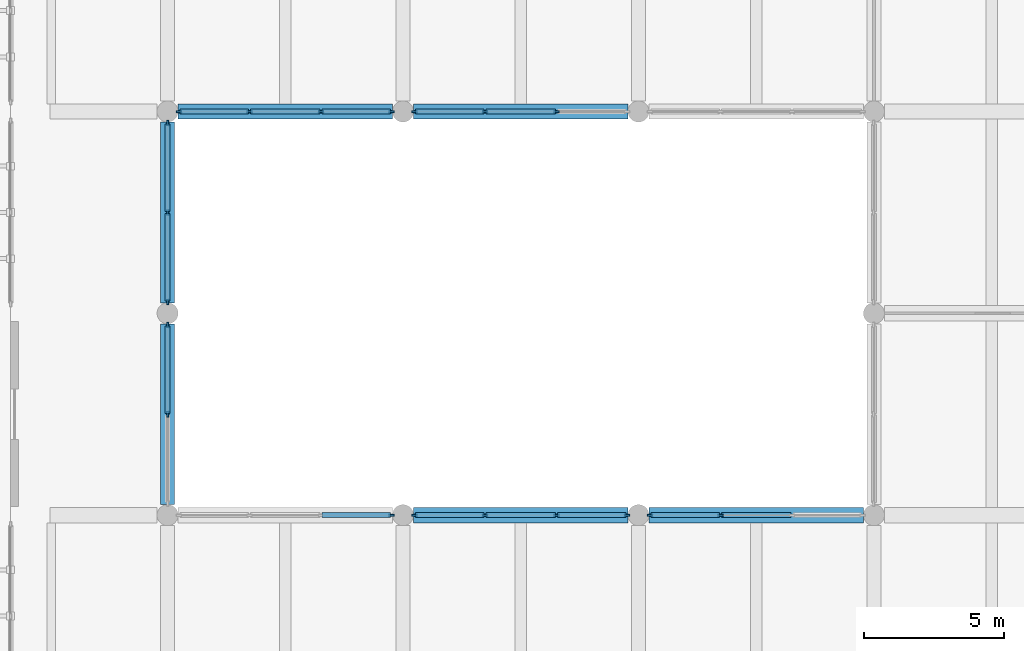
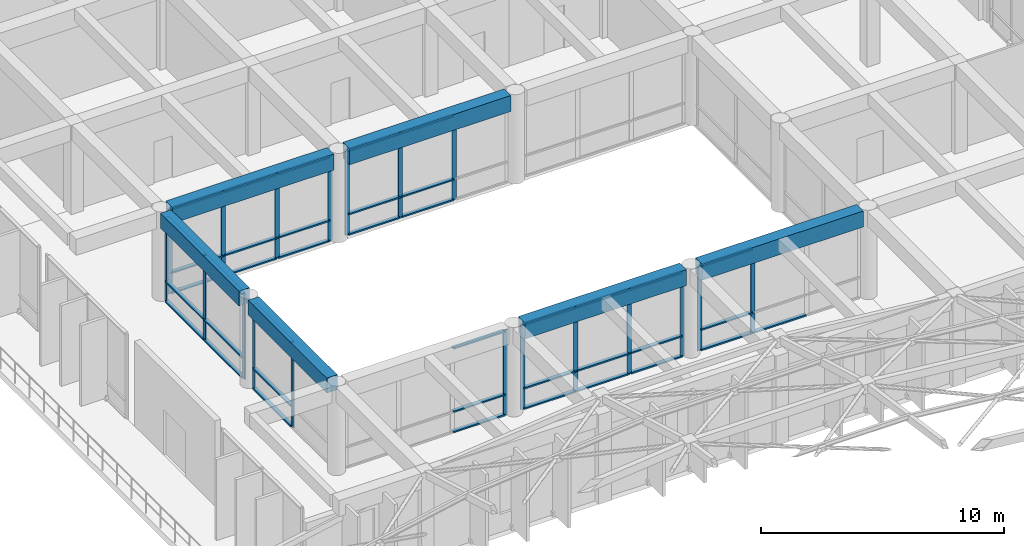
# One storey, part 6 of 23: 59 members, 6 beams, 7 elements without a shape of their own.
"""IFC4 building model written with IfcOpenShell, lengths in metres."""

from ifc_helpers import new_model, si_unit, direction, frame, origin, origin_2d, place, context, subcontext, project, spatial, rectangle, extrude, material, material_profile, profile_set, type_object, element, aggregate, save


model = new_model("IFC4")

# Units and contexts
model_context = context("Model", 3, precision=1e-05, world=origin(), true_north=direction((0.0, 1.0)))
body_context = subcontext(model_context, "Body", "Model", "MODEL_VIEW")
ifc_project = project(units=[si_unit("LENGTHUNIT", "METRE"), si_unit("AREAUNIT", "SQUARE_METRE"), si_unit("VOLUMEUNIT", "CUBIC_METRE"), si_unit("PLANEANGLEUNIT", "RADIAN"), si_unit("MASSUNIT", "GRAM", prefix="KILO")], contexts=[model_context])

# Site, building, storey
site_placement = place(None, origin())
site = spatial("IfcSite", under=ifc_project, at=site_placement, CompositionType="ELEMENT")
building_placement = place(site_placement, origin())
building = spatial("IfcBuilding", under=site, at=building_placement, Name="Kenerak Square Central Library", CompositionType="ELEMENT")
storey_placement = place(building_placement, frame((0.0, 0.0, 18.8798828125)))
storey = spatial("IfcBuildingStorey", under=building, at=storey_placement, Name="L04", CompositionType="ELEMENT", Elevation=18.8798828125)

# Curtain wall, member
ifc_material_1 = material(Name="Intumescent fire-resisting glazing EI 60", Category="glass")
curtain_wall_type_1 = type_object("IfcCurtainWallType", Name="Curtain Wall CW-AT60-76x42 7650x4255", PredefinedType="USERDEFINED", material=ifc_material_1)
curtain_wall_1_placement = place(storey_placement, origin())
curtain_wall_1 = element("IfcCurtainWall", 1, at=curtain_wall_1_placement, inside=storey, type_object=curtain_wall_type_1, Name="Atrium Fire-Rated Glazed Screen CW-AT60-76x42 L04 0177", ObjectType="CURTAIN WALL", PredefinedType="USERDEFINED")
ifc_material_2 = material(Name="Anodised aluminium 6063-T6", Category="aluminium")
ifc_material_profile_1 = material_profile(ifc_material_2, rectangle(XDim=0.070068359375, YDim=0.199951171875, at=origin_2d()), Name="AL MULLION 70x200")
ifc_profile_set_1 = profile_set([ifc_material_profile_1], Name="Anodised aluminium 6063-T6")
member_type_1 = type_object("IfcMemberType", Name="Fire-Rated Glazing Mullion CM-05 70x200", PredefinedType="MULLION", material=ifc_profile_set_1)
member_1_placement = place(storey_placement, frame((83.18994140625, 60.0, 0.0), z_axis=(0.0, 0.0, 1.0), x_axis=(0.0, 1.0, 0.0)))
member_1 = element("IfcMember", 2, at=member_1_placement, type_object=member_type_1, Name="CW-AT60-76x42 Mullion 4", PredefinedType="MULLION", context=body_context, shape_type="SweptSolid", body=[
    extrude(rectangle(XDim=0.070068359375, YDim=0.199951171875, at=origin_2d()), origin(), (0.0, 0.0, 1.0), 4.255126953125),
])

# Curtain wall, members
curtain_wall_2_placement = place(storey_placement, origin())
curtain_wall_2 = element("IfcCurtainWall", 3, at=curtain_wall_2_placement, inside=storey, type_object=curtain_wall_type_1, Name="Atrium Fire-Rated Glazed Screen CW-AT60-76x42 L04 0178", ObjectType="CURTAIN WALL", PredefinedType="USERDEFINED")
member_2_placement = place(storey_placement, frame((84.010009765625, 60.0, 0.0), z_axis=(0.0, 0.0, 1.0), x_axis=(0.0, 1.0, 0.0)))
member_2 = element("IfcMember", 4, at=member_2_placement, type_object=member_type_1, Name="CW-AT60-76x42 Mullion 1", PredefinedType="MULLION", context=body_context, shape_type="SweptSolid", body=[
    extrude(rectangle(XDim=0.070068359375, YDim=0.199951171875, at=origin_2d()), origin(), (0.0, 0.0, 1.0), 4.255126953125),
])
member_3_placement = place(storey_placement, frame((86.52490234375, 60.0, 0.0), z_axis=(0.0, 0.0, 1.0), x_axis=(0.0, 1.0, 0.0)))
member_3 = element("IfcMember", 5, at=member_3_placement, type_object=member_type_1, Name="CW-AT60-76x42 Mullion 2", PredefinedType="MULLION", context=body_context, shape_type="SweptSolid", body=[
    extrude(rectangle(XDim=0.070068359375, YDim=0.199951171875, at=origin_2d()), origin(), (0.0, 0.0, 1.0), 4.255126953125),
])
member_4_placement = place(storey_placement, frame((89.074951171875, 60.0, 0.0), z_axis=(0.0, 0.0, 1.0), x_axis=(0.0, 1.0, 0.0)))
member_4 = element("IfcMember", 6, at=member_4_placement, type_object=member_type_1, Name="CW-AT60-76x42 Mullion 3", PredefinedType="MULLION", context=body_context, shape_type="SweptSolid", body=[
    extrude(rectangle(XDim=0.070068359375, YDim=0.199951171875, at=origin_2d()), origin(), (0.0, 0.0, 1.0), 4.255126953125),
])
member_5_placement = place(storey_placement, frame((91.590087890625, 60.0, 0.0), z_axis=(0.0, 0.0, 1.0), x_axis=(0.0, 1.0, 0.0)))
member_5 = element("IfcMember", 7, at=member_5_placement, type_object=member_type_1, Name="CW-AT60-76x42 Mullion 4", PredefinedType="MULLION", context=body_context, shape_type="SweptSolid", body=[
    extrude(rectangle(XDim=0.070068359375, YDim=0.199951171875, at=origin_2d()), origin(), (0.0, 0.0, 1.0), 4.255126953125),
])

curtain_wall_3_placement = place(storey_placement, origin())
curtain_wall_3 = element("IfcCurtainWall", 8, at=curtain_wall_3_placement, inside=storey, type_object=curtain_wall_type_1, Name="Atrium Fire-Rated Glazed Screen CW-AT60-76x42 L04 0179", ObjectType="CURTAIN WALL", PredefinedType="USERDEFINED")
member_6_placement = place(storey_placement, frame((92.409912109375, 60.0, 0.0), z_axis=(0.0, 0.0, 1.0), x_axis=(0.0, 1.0, 0.0)))
member_6 = element("IfcMember", 9, at=member_6_placement, type_object=member_type_1, Name="CW-AT60-76x42 Mullion 1", PredefinedType="MULLION", context=body_context, shape_type="SweptSolid", body=[
    extrude(rectangle(XDim=0.070068359375, YDim=0.199951171875, at=origin_2d()), origin(), (0.0, 0.0, 1.0), 4.255126953125),
])
member_7_placement = place(storey_placement, frame((94.925048828125, 60.0, 0.0), z_axis=(0.0, 0.0, 1.0), x_axis=(0.0, 1.0, 0.0)))
member_7 = element("IfcMember", 10, at=member_7_placement, type_object=member_type_1, Name="CW-AT60-76x42 Mullion 2", PredefinedType="MULLION", context=body_context, shape_type="SweptSolid", body=[
    extrude(rectangle(XDim=0.070068359375, YDim=0.199951171875, at=origin_2d()), origin(), (0.0, 0.0, 1.0), 4.255126953125),
])

curtain_wall_4_placement = place(storey_placement, origin())
curtain_wall_4 = element("IfcCurtainWall", 11, at=curtain_wall_4_placement, inside=storey, type_object=curtain_wall_type_1, Name="Atrium Fire-Rated Glazed Screen CW-AT60-76x42 L04 0183", ObjectType="CURTAIN WALL", PredefinedType="USERDEFINED")
member_8_placement = place(storey_placement, frame((89.074951171875, 74.39990234375, 0.0), z_axis=(0.0, 0.0, 1.0), x_axis=(0.0, -1.0, 0.0)))
member_8 = element("IfcMember", 12, at=member_8_placement, type_object=member_type_1, Name="CW-AT60-76x42 Mullion 2", PredefinedType="MULLION", context=body_context, shape_type="SweptSolid", body=[
    extrude(rectangle(XDim=0.070068359375, YDim=0.199951171875, at=origin_2d()), origin(), (0.0, 0.0, 1.0), 4.255126953125),
])
member_9_placement = place(storey_placement, frame((86.52490234375, 74.39990234375, 0.0), z_axis=(0.0, 0.0, 1.0), x_axis=(0.0, -1.0, 0.0)))
member_9 = element("IfcMember", 13, at=member_9_placement, type_object=member_type_1, Name="CW-AT60-76x42 Mullion 3", PredefinedType="MULLION", context=body_context, shape_type="SweptSolid", body=[
    extrude(rectangle(XDim=0.070068359375, YDim=0.199951171875, at=origin_2d()), origin(), (0.0, 0.0, 1.0), 4.255126953125),
])
member_10_placement = place(storey_placement, frame((84.010009765625, 74.39990234375, 0.0), z_axis=(0.0, 0.0, 1.0), x_axis=(0.0, -1.0, 0.0)))
member_10 = element("IfcMember", 14, at=member_10_placement, type_object=member_type_1, Name="CW-AT60-76x42 Mullion 4", PredefinedType="MULLION", context=body_context, shape_type="SweptSolid", body=[
    extrude(rectangle(XDim=0.070068359375, YDim=0.199951171875, at=origin_2d()), origin(), (0.0, 0.0, 1.0), 4.255126953125),
])

curtain_wall_5_placement = place(storey_placement, origin())
curtain_wall_5 = element("IfcCurtainWall", 15, at=curtain_wall_5_placement, inside=storey, type_object=curtain_wall_type_1, Name="Atrium Fire-Rated Glazed Screen CW-AT60-76x42 L04 0184", ObjectType="CURTAIN WALL", PredefinedType="USERDEFINED")
member_11_placement = place(storey_placement, frame((83.18994140625, 74.39990234375, 0.0), z_axis=(0.0, 0.0, 1.0), x_axis=(0.0, -1.0, 0.0)))
member_11 = element("IfcMember", 16, at=member_11_placement, type_object=member_type_1, Name="CW-AT60-76x42 Mullion 1", PredefinedType="MULLION", context=body_context, shape_type="SweptSolid", body=[
    extrude(rectangle(XDim=0.070068359375, YDim=0.199951171875, at=origin_2d()), origin(), (0.0, 0.0, 1.0), 4.255126953125),
])
member_12_placement = place(storey_placement, frame((80.675048828125, 74.39990234375, 0.0), z_axis=(0.0, 0.0, 1.0), x_axis=(0.0, -1.0, 0.0)))
member_12 = element("IfcMember", 17, at=member_12_placement, type_object=member_type_1, Name="CW-AT60-76x42 Mullion 2", PredefinedType="MULLION", context=body_context, shape_type="SweptSolid", body=[
    extrude(rectangle(XDim=0.070068359375, YDim=0.199951171875, at=origin_2d()), origin(), (0.0, 0.0, 1.0), 4.255126953125),
])
member_13_placement = place(storey_placement, frame((78.125, 74.39990234375, 0.0), z_axis=(0.0, 0.0, 1.0), x_axis=(0.0, -1.0, 0.0)))
member_13 = element("IfcMember", 18, at=member_13_placement, type_object=member_type_1, Name="CW-AT60-76x42 Mullion 3", PredefinedType="MULLION", context=body_context, shape_type="SweptSolid", body=[
    extrude(rectangle(XDim=0.070068359375, YDim=0.199951171875, at=origin_2d()), origin(), (0.0, 0.0, 1.0), 4.255126953125),
])
member_14_placement = place(storey_placement, frame((75.610107421875, 74.39990234375, 0.0), z_axis=(0.0, 0.0, 1.0), x_axis=(0.0, -1.0, 0.0)))
member_14 = element("IfcMember", 19, at=member_14_placement, type_object=member_type_1, Name="CW-AT60-76x42 Mullion 4", PredefinedType="MULLION", context=body_context, shape_type="SweptSolid", body=[
    extrude(rectangle(XDim=0.070068359375, YDim=0.199951171875, at=origin_2d()), origin(), (0.0, 0.0, 1.0), 4.255126953125),
])

curtain_wall_type_2 = type_object("IfcCurtainWallType", Name="Curtain Wall CW-AT60-64x42 6450x4255", PredefinedType="USERDEFINED", material=ifc_material_1)
curtain_wall_6_placement = place(storey_placement, origin())
curtain_wall_6 = element("IfcCurtainWall", 20, at=curtain_wall_6_placement, inside=storey, type_object=curtain_wall_type_2, Name="Atrium Fire-Rated Glazed Screen CW-AT60-64x42 L04 0185", ObjectType="CURTAIN WALL", PredefinedType="USERDEFINED")
member_15_placement = place(storey_placement, frame((75.199951171875, 73.989990234375, 0.0), z_axis=(0.0, 0.0, 1.0), x_axis=(1.0, 0.0, 0.0)))
member_15 = element("IfcMember", 21, at=member_15_placement, type_object=member_type_1, Name="CW-AT60-64x42 Mullion 1", PredefinedType="MULLION", context=body_context, shape_type="SweptSolid", body=[
    extrude(rectangle(XDim=0.070068359375, YDim=0.199951171875, at=origin_2d()), origin(), (0.0, 0.0, 1.0), 4.255126953125),
])
member_16_placement = place(storey_placement, frame((75.199951171875, 70.800048828125, 0.0), z_axis=(0.0, 0.0, 1.0), x_axis=(1.0, 0.0, 0.0)))
member_16 = element("IfcMember", 22, at=member_16_placement, type_object=member_type_1, Name="CW-AT60-64x42 Mullion 2", PredefinedType="MULLION", context=body_context, shape_type="SweptSolid", body=[
    extrude(rectangle(XDim=0.070068359375, YDim=0.199951171875, at=origin_2d()), origin(), (0.0, 0.0, 1.0), 4.255126953125),
])
member_17_placement = place(storey_placement, frame((75.199951171875, 67.610107421875, 0.0), z_axis=(0.0, 0.0, 1.0), x_axis=(1.0, 0.0, 0.0)))
member_17 = element("IfcMember", 23, at=member_17_placement, type_object=member_type_1, Name="CW-AT60-64x42 Mullion 3", PredefinedType="MULLION", context=body_context, shape_type="SweptSolid", body=[
    extrude(rectangle(XDim=0.070068359375, YDim=0.199951171875, at=origin_2d()), origin(), (0.0, 0.0, 1.0), 4.255126953125),
])

curtain_wall_7_placement = place(storey_placement, origin())
curtain_wall_7 = element("IfcCurtainWall", 24, at=curtain_wall_7_placement, inside=storey, type_object=curtain_wall_type_2, Name="Atrium Fire-Rated Glazed Screen CW-AT60-64x42 L04 0186", ObjectType="CURTAIN WALL", PredefinedType="USERDEFINED")
member_18_placement = place(storey_placement, frame((75.199951171875, 66.7900390625, 0.0), z_axis=(0.0, 0.0, 1.0), x_axis=(1.0, 0.0, 0.0)))
member_18 = element("IfcMember", 25, at=member_18_placement, type_object=member_type_1, Name="CW-AT60-64x42 Mullion 1", PredefinedType="MULLION", context=body_context, shape_type="SweptSolid", body=[
    extrude(rectangle(XDim=0.070068359375, YDim=0.199951171875, at=origin_2d()), origin(), (0.0, 0.0, 1.0), 4.255126953125),
])
member_19_placement = place(storey_placement, frame((75.199951171875, 63.60009765625, 0.0), z_axis=(0.0, 0.0, 1.0), x_axis=(1.0, 0.0, 0.0)))
member_19 = element("IfcMember", 26, at=member_19_placement, type_object=member_type_1, Name="CW-AT60-64x42 Mullion 2", PredefinedType="MULLION", context=body_context, shape_type="SweptSolid", body=[
    extrude(rectangle(XDim=0.070068359375, YDim=0.199951171875, at=origin_2d()), origin(), (0.0, 0.0, 1.0), 4.255126953125),
])

# Member
ifc_material_profile_2 = material_profile(ifc_material_2, rectangle(XDim=0.179931640625, YDim=0.070068359375, at=origin_2d()), Name="AL TRANSOM 180x70")
ifc_profile_set_2 = profile_set([ifc_material_profile_2], Name="Anodised aluminium 6063-T6")
member_type_2 = type_object("IfcMemberType", Name="Fire-Rated Glazing Transom CT-15 180x70", PredefinedType="USERDEFINED", material=ifc_profile_set_2)
member_20_placement = place(storey_placement, frame((80.7099609375, 60.0, 0.03515625), z_axis=(1.0, 0.0, 0.0), x_axis=(0.0, 1.0, 0.0)))
member_20 = element("IfcMember", 27, at=member_20_placement, type_object=member_type_2, Name="CW-AT60-76x42 Transom 3.1", ObjectType="TRANSOM", PredefinedType="USERDEFINED", context=body_context, shape_type="SweptSolid", body=[
    extrude(rectangle(XDim=0.179931640625, YDim=0.070068359375, at=origin_2d()), origin(), (0.0, 0.0, 1.0), 2.445068359375),
])

member_21_placement = place(storey_placement, frame((80.7099609375, 60.0, 1.050048828125), z_axis=(1.0, 0.0, 0.0), x_axis=(0.0, 1.0, 0.0)))
member_21 = element("IfcMember", 28, at=member_21_placement, type_object=member_type_2, Name="CW-AT60-76x42 Transom 3.2", ObjectType="TRANSOM", PredefinedType="USERDEFINED", context=body_context, shape_type="SweptSolid", body=[
    extrude(rectangle(XDim=0.179931640625, YDim=0.070068359375, at=origin_2d()), origin(), (0.0, 0.0, 1.0), 2.445068359375),
])

member_22_placement = place(storey_placement, frame((80.7099609375, 60.0, 4.22021484375), z_axis=(1.0, 0.0, 0.0), x_axis=(0.0, 1.0, 0.0)))
member_22 = element("IfcMember", 29, at=member_22_placement, type_object=member_type_2, Name="CW-AT60-76x42 Transom 3.3", ObjectType="TRANSOM", PredefinedType="USERDEFINED", context=body_context, shape_type="SweptSolid", body=[
    extrude(rectangle(XDim=0.179931640625, YDim=0.070068359375, at=origin_2d()), origin(), (0.0, 0.0, 1.0), 2.445068359375),
])

aggregate(curtain_wall_1, [member_1, member_20, member_21, member_22])

member_23_placement = place(storey_placement, frame((84.044921875, 60.0, 0.03515625), z_axis=(1.0, 0.0, 0.0), x_axis=(0.0, 1.0, 0.0)))
member_23 = element("IfcMember", 30, at=member_23_placement, type_object=member_type_2, Name="CW-AT60-76x42 Transom 1.1", ObjectType="TRANSOM", PredefinedType="USERDEFINED", context=body_context, shape_type="SweptSolid", body=[
    extrude(rectangle(XDim=0.179931640625, YDim=0.070068359375, at=origin_2d()), origin(), (0.0, 0.0, 1.0), 2.445068359375),
])

member_24_placement = place(storey_placement, frame((84.044921875, 60.0, 1.050048828125), z_axis=(1.0, 0.0, 0.0), x_axis=(0.0, 1.0, 0.0)))
member_24 = element("IfcMember", 31, at=member_24_placement, type_object=member_type_2, Name="CW-AT60-76x42 Transom 1.2", ObjectType="TRANSOM", PredefinedType="USERDEFINED", context=body_context, shape_type="SweptSolid", body=[
    extrude(rectangle(XDim=0.179931640625, YDim=0.070068359375, at=origin_2d()), origin(), (0.0, 0.0, 1.0), 2.445068359375),
])

member_25_placement = place(storey_placement, frame((84.044921875, 60.0, 4.22021484375), z_axis=(1.0, 0.0, 0.0), x_axis=(0.0, 1.0, 0.0)))
member_25 = element("IfcMember", 32, at=member_25_placement, type_object=member_type_2, Name="CW-AT60-76x42 Transom 1.3", ObjectType="TRANSOM", PredefinedType="USERDEFINED", context=body_context, shape_type="SweptSolid", body=[
    extrude(rectangle(XDim=0.179931640625, YDim=0.070068359375, at=origin_2d()), origin(), (0.0, 0.0, 1.0), 2.445068359375),
])

member_26_placement = place(storey_placement, frame((86.56005859375, 60.0, 0.03515625), z_axis=(1.0, 0.0, 0.0), x_axis=(0.0, 1.0, 0.0)))
member_26 = element("IfcMember", 33, at=member_26_placement, type_object=member_type_2, Name="CW-AT60-76x42 Transom 2.1", ObjectType="TRANSOM", PredefinedType="USERDEFINED", context=body_context, shape_type="SweptSolid", body=[
    extrude(rectangle(XDim=0.179931640625, YDim=0.070068359375, at=origin_2d()), origin(), (0.0, 0.0, 1.0), 2.47998046875),
])

member_27_placement = place(storey_placement, frame((86.56005859375, 60.0, 1.050048828125), z_axis=(1.0, 0.0, 0.0), x_axis=(0.0, 1.0, 0.0)))
member_27 = element("IfcMember", 34, at=member_27_placement, type_object=member_type_2, Name="CW-AT60-76x42 Transom 2.2", ObjectType="TRANSOM", PredefinedType="USERDEFINED", context=body_context, shape_type="SweptSolid", body=[
    extrude(rectangle(XDim=0.179931640625, YDim=0.070068359375, at=origin_2d()), origin(), (0.0, 0.0, 1.0), 2.47998046875),
])

member_28_placement = place(storey_placement, frame((86.56005859375, 60.0, 4.22021484375), z_axis=(1.0, 0.0, 0.0), x_axis=(0.0, 1.0, 0.0)))
member_28 = element("IfcMember", 35, at=member_28_placement, type_object=member_type_2, Name="CW-AT60-76x42 Transom 2.3", ObjectType="TRANSOM", PredefinedType="USERDEFINED", context=body_context, shape_type="SweptSolid", body=[
    extrude(rectangle(XDim=0.179931640625, YDim=0.070068359375, at=origin_2d()), origin(), (0.0, 0.0, 1.0), 2.47998046875),
])

member_29_placement = place(storey_placement, frame((89.110107421875, 60.0, 0.03515625), z_axis=(1.0, 0.0, 0.0), x_axis=(0.0, 1.0, 0.0)))
member_29 = element("IfcMember", 36, at=member_29_placement, type_object=member_type_2, Name="CW-AT60-76x42 Transom 3.1", ObjectType="TRANSOM", PredefinedType="USERDEFINED", context=body_context, shape_type="SweptSolid", body=[
    extrude(rectangle(XDim=0.179931640625, YDim=0.070068359375, at=origin_2d()), origin(), (0.0, 0.0, 1.0), 2.44482421875),
])

member_30_placement = place(storey_placement, frame((89.110107421875, 60.0, 1.050048828125), z_axis=(1.0, 0.0, 0.0), x_axis=(0.0, 1.0, 0.0)))
member_30 = element("IfcMember", 37, at=member_30_placement, type_object=member_type_2, Name="CW-AT60-76x42 Transom 3.2", ObjectType="TRANSOM", PredefinedType="USERDEFINED", context=body_context, shape_type="SweptSolid", body=[
    extrude(rectangle(XDim=0.179931640625, YDim=0.070068359375, at=origin_2d()), origin(), (0.0, 0.0, 1.0), 2.44482421875),
])

member_31_placement = place(storey_placement, frame((89.110107421875, 60.0, 4.22021484375), z_axis=(1.0, 0.0, 0.0), x_axis=(0.0, 1.0, 0.0)))
member_31 = element("IfcMember", 38, at=member_31_placement, type_object=member_type_2, Name="CW-AT60-76x42 Transom 3.3", ObjectType="TRANSOM", PredefinedType="USERDEFINED", context=body_context, shape_type="SweptSolid", body=[
    extrude(rectangle(XDim=0.179931640625, YDim=0.070068359375, at=origin_2d()), origin(), (0.0, 0.0, 1.0), 2.44482421875),
])

aggregate(curtain_wall_2, [member_2, member_3, member_4, member_5, member_23, member_24, member_25, member_26, member_27, member_28, member_29, member_30, member_31])

member_32_placement = place(storey_placement, frame((92.445068359375, 60.0, 0.03515625), z_axis=(1.0, 0.0, 0.0), x_axis=(0.0, 1.0, 0.0)))
member_32 = element("IfcMember", 39, at=member_32_placement, type_object=member_type_2, Name="CW-AT60-76x42 Transom 1.1", ObjectType="TRANSOM", PredefinedType="USERDEFINED", context=body_context, shape_type="SweptSolid", body=[
    extrude(rectangle(XDim=0.179931640625, YDim=0.070068359375, at=origin_2d()), origin(), (0.0, 0.0, 1.0), 2.44482421875),
])

member_33_placement = place(storey_placement, frame((92.445068359375, 60.0, 1.050048828125), z_axis=(1.0, 0.0, 0.0), x_axis=(0.0, 1.0, 0.0)))
member_33 = element("IfcMember", 40, at=member_33_placement, type_object=member_type_2, Name="CW-AT60-76x42 Transom 1.2", ObjectType="TRANSOM", PredefinedType="USERDEFINED", context=body_context, shape_type="SweptSolid", body=[
    extrude(rectangle(XDim=0.179931640625, YDim=0.070068359375, at=origin_2d()), origin(), (0.0, 0.0, 1.0), 2.44482421875),
])

member_34_placement = place(storey_placement, frame((92.445068359375, 60.0, 4.22021484375), z_axis=(1.0, 0.0, 0.0), x_axis=(0.0, 1.0, 0.0)))
member_34 = element("IfcMember", 41, at=member_34_placement, type_object=member_type_2, Name="CW-AT60-76x42 Transom 1.3", ObjectType="TRANSOM", PredefinedType="USERDEFINED", context=body_context, shape_type="SweptSolid", body=[
    extrude(rectangle(XDim=0.179931640625, YDim=0.070068359375, at=origin_2d()), origin(), (0.0, 0.0, 1.0), 2.44482421875),
])

member_35_placement = place(storey_placement, frame((94.9599609375, 60.0, 0.03515625), z_axis=(1.0, 0.0, 0.0), x_axis=(0.0, 1.0, 0.0)))
member_35 = element("IfcMember", 42, at=member_35_placement, type_object=member_type_2, Name="CW-AT60-76x42 Transom 2.1", ObjectType="TRANSOM", PredefinedType="USERDEFINED", context=body_context, shape_type="SweptSolid", body=[
    extrude(rectangle(XDim=0.179931640625, YDim=0.070068359375, at=origin_2d()), origin(), (0.0, 0.0, 1.0), 2.47998046875),
])

aggregate(curtain_wall_3, [member_6, member_7, member_32, member_33, member_34, member_35])

member_36_placement = place(storey_placement, frame((89.0400390625, 74.39990234375, 0.03515625), z_axis=(-1.0, 0.0, 0.0), x_axis=(0.0, -1.0, 0.0)))
member_36 = element("IfcMember", 43, at=member_36_placement, type_object=member_type_2, Name="CW-AT60-76x42 Transom 2.1", ObjectType="TRANSOM", PredefinedType="USERDEFINED", context=body_context, shape_type="SweptSolid", body=[
    extrude(rectangle(XDim=0.179931640625, YDim=0.070068359375, at=origin_2d()), origin(), (0.0, 0.0, 1.0), 2.47998046875),
])

member_37_placement = place(storey_placement, frame((89.0400390625, 74.39990234375, 1.050048828125), z_axis=(-1.0, 0.0, 0.0), x_axis=(0.0, -1.0, 0.0)))
member_37 = element("IfcMember", 44, at=member_37_placement, type_object=member_type_2, Name="CW-AT60-76x42 Transom 2.2", ObjectType="TRANSOM", PredefinedType="USERDEFINED", context=body_context, shape_type="SweptSolid", body=[
    extrude(rectangle(XDim=0.179931640625, YDim=0.070068359375, at=origin_2d()), origin(), (0.0, 0.0, 1.0), 2.47998046875),
])

member_38_placement = place(storey_placement, frame((89.0400390625, 74.39990234375, 4.22021484375), z_axis=(-1.0, 0.0, 0.0), x_axis=(0.0, -1.0, 0.0)))
member_38 = element("IfcMember", 45, at=member_38_placement, type_object=member_type_2, Name="CW-AT60-76x42 Transom 2.3", ObjectType="TRANSOM", PredefinedType="USERDEFINED", context=body_context, shape_type="SweptSolid", body=[
    extrude(rectangle(XDim=0.179931640625, YDim=0.070068359375, at=origin_2d()), origin(), (0.0, 0.0, 1.0), 2.47998046875),
])

member_39_placement = place(storey_placement, frame((86.489990234375, 74.39990234375, 0.03515625), z_axis=(-1.0, 0.0, 0.0), x_axis=(0.0, -1.0, 0.0)))
member_39 = element("IfcMember", 46, at=member_39_placement, type_object=member_type_2, Name="CW-AT60-76x42 Transom 3.1", ObjectType="TRANSOM", PredefinedType="USERDEFINED", context=body_context, shape_type="SweptSolid", body=[
    extrude(rectangle(XDim=0.179931640625, YDim=0.070068359375, at=origin_2d()), origin(), (0.0, 0.0, 1.0), 2.445068359375),
])

member_40_placement = place(storey_placement, frame((86.489990234375, 74.39990234375, 1.050048828125), z_axis=(-1.0, 0.0, 0.0), x_axis=(0.0, -1.0, 0.0)))
member_40 = element("IfcMember", 47, at=member_40_placement, type_object=member_type_2, Name="CW-AT60-76x42 Transom 3.2", ObjectType="TRANSOM", PredefinedType="USERDEFINED", context=body_context, shape_type="SweptSolid", body=[
    extrude(rectangle(XDim=0.179931640625, YDim=0.070068359375, at=origin_2d()), origin(), (0.0, 0.0, 1.0), 2.445068359375),
])

member_41_placement = place(storey_placement, frame((86.489990234375, 74.39990234375, 4.22021484375), z_axis=(-1.0, 0.0, 0.0), x_axis=(0.0, -1.0, 0.0)))
member_41 = element("IfcMember", 48, at=member_41_placement, type_object=member_type_2, Name="CW-AT60-76x42 Transom 3.3", ObjectType="TRANSOM", PredefinedType="USERDEFINED", context=body_context, shape_type="SweptSolid", body=[
    extrude(rectangle(XDim=0.179931640625, YDim=0.070068359375, at=origin_2d()), origin(), (0.0, 0.0, 1.0), 2.445068359375),
])

aggregate(curtain_wall_4, [member_8, member_9, member_10, member_36, member_37, member_38, member_39, member_40, member_41])

member_42_placement = place(storey_placement, frame((83.155029296875, 74.39990234375, 0.03515625), z_axis=(-1.0, 0.0, 0.0), x_axis=(0.0, -1.0, 0.0)))
member_42 = element("IfcMember", 49, at=member_42_placement, type_object=member_type_2, Name="CW-AT60-76x42 Transom 1.1", ObjectType="TRANSOM", PredefinedType="USERDEFINED", context=body_context, shape_type="SweptSolid", body=[
    extrude(rectangle(XDim=0.179931640625, YDim=0.070068359375, at=origin_2d()), origin(), (0.0, 0.0, 1.0), 2.445068359375),
])

member_43_placement = place(storey_placement, frame((83.155029296875, 74.39990234375, 1.050048828125), z_axis=(-1.0, 0.0, 0.0), x_axis=(0.0, -1.0, 0.0)))
member_43 = element("IfcMember", 50, at=member_43_placement, type_object=member_type_2, Name="CW-AT60-76x42 Transom 1.2", ObjectType="TRANSOM", PredefinedType="USERDEFINED", context=body_context, shape_type="SweptSolid", body=[
    extrude(rectangle(XDim=0.179931640625, YDim=0.070068359375, at=origin_2d()), origin(), (0.0, 0.0, 1.0), 2.445068359375),
])

member_44_placement = place(storey_placement, frame((83.155029296875, 74.39990234375, 4.22021484375), z_axis=(-1.0, 0.0, 0.0), x_axis=(0.0, -1.0, 0.0)))
member_44 = element("IfcMember", 51, at=member_44_placement, type_object=member_type_2, Name="CW-AT60-76x42 Transom 1.3", ObjectType="TRANSOM", PredefinedType="USERDEFINED", context=body_context, shape_type="SweptSolid", body=[
    extrude(rectangle(XDim=0.179931640625, YDim=0.070068359375, at=origin_2d()), origin(), (0.0, 0.0, 1.0), 2.445068359375),
])

member_45_placement = place(storey_placement, frame((80.639892578125, 74.39990234375, 0.03515625), z_axis=(-1.0, 0.0, 0.0), x_axis=(0.0, -1.0, 0.0)))
member_45 = element("IfcMember", 52, at=member_45_placement, type_object=member_type_2, Name="CW-AT60-76x42 Transom 2.1", ObjectType="TRANSOM", PredefinedType="USERDEFINED", context=body_context, shape_type="SweptSolid", body=[
    extrude(rectangle(XDim=0.179931640625, YDim=0.070068359375, at=origin_2d()), origin(), (0.0, 0.0, 1.0), 2.47998046875),
])

member_46_placement = place(storey_placement, frame((80.639892578125, 74.39990234375, 1.050048828125), z_axis=(-1.0, 0.0, 0.0), x_axis=(0.0, -1.0, 0.0)))
member_46 = element("IfcMember", 53, at=member_46_placement, type_object=member_type_2, Name="CW-AT60-76x42 Transom 2.2", ObjectType="TRANSOM", PredefinedType="USERDEFINED", context=body_context, shape_type="SweptSolid", body=[
    extrude(rectangle(XDim=0.179931640625, YDim=0.070068359375, at=origin_2d()), origin(), (0.0, 0.0, 1.0), 2.47998046875),
])

member_47_placement = place(storey_placement, frame((80.639892578125, 74.39990234375, 4.22021484375), z_axis=(-1.0, 0.0, 0.0), x_axis=(0.0, -1.0, 0.0)))
member_47 = element("IfcMember", 54, at=member_47_placement, type_object=member_type_2, Name="CW-AT60-76x42 Transom 2.3", ObjectType="TRANSOM", PredefinedType="USERDEFINED", context=body_context, shape_type="SweptSolid", body=[
    extrude(rectangle(XDim=0.179931640625, YDim=0.070068359375, at=origin_2d()), origin(), (0.0, 0.0, 1.0), 2.47998046875),
])

member_48_placement = place(storey_placement, frame((78.090087890625, 74.39990234375, 0.03515625), z_axis=(-1.0, 0.0, 0.0), x_axis=(0.0, -1.0, 0.0)))
member_48 = element("IfcMember", 55, at=member_48_placement, type_object=member_type_2, Name="CW-AT60-76x42 Transom 3.1", ObjectType="TRANSOM", PredefinedType="USERDEFINED", context=body_context, shape_type="SweptSolid", body=[
    extrude(rectangle(XDim=0.179931640625, YDim=0.070068359375, at=origin_2d()), origin(), (0.0, 0.0, 1.0), 2.445068359375),
])

member_49_placement = place(storey_placement, frame((78.090087890625, 74.39990234375, 1.050048828125), z_axis=(-1.0, 0.0, 0.0), x_axis=(0.0, -1.0, 0.0)))
member_49 = element("IfcMember", 56, at=member_49_placement, type_object=member_type_2, Name="CW-AT60-76x42 Transom 3.2", ObjectType="TRANSOM", PredefinedType="USERDEFINED", context=body_context, shape_type="SweptSolid", body=[
    extrude(rectangle(XDim=0.179931640625, YDim=0.070068359375, at=origin_2d()), origin(), (0.0, 0.0, 1.0), 2.445068359375),
])

member_50_placement = place(storey_placement, frame((78.090087890625, 74.39990234375, 4.22021484375), z_axis=(-1.0, 0.0, 0.0), x_axis=(0.0, -1.0, 0.0)))
member_50 = element("IfcMember", 57, at=member_50_placement, type_object=member_type_2, Name="CW-AT60-76x42 Transom 3.3", ObjectType="TRANSOM", PredefinedType="USERDEFINED", context=body_context, shape_type="SweptSolid", body=[
    extrude(rectangle(XDim=0.179931640625, YDim=0.070068359375, at=origin_2d()), origin(), (0.0, 0.0, 1.0), 2.445068359375),
])

aggregate(curtain_wall_5, [member_11, member_12, member_13, member_14, member_42, member_43, member_44, member_45, member_46, member_47, member_48, member_49, member_50])

member_51_placement = place(storey_placement, frame((75.199951171875, 73.955078125, 0.03515625), z_axis=(0.0, -1.0, 0.0), x_axis=(1.0, 0.0, 0.0)))
member_51 = element("IfcMember", 58, at=member_51_placement, type_object=member_type_2, Name="CW-AT60-64x42 Transom 1.1", ObjectType="TRANSOM", PredefinedType="USERDEFINED", context=body_context, shape_type="SweptSolid", body=[
    extrude(rectangle(XDim=0.179931640625, YDim=0.070068359375, at=origin_2d()), origin(), (0.0, 0.0, 1.0), 3.1201171875),
])

member_52_placement = place(storey_placement, frame((75.199951171875, 73.955078125, 1.050048828125), z_axis=(0.0, -1.0, 0.0), x_axis=(1.0, 0.0, 0.0)))
member_52 = element("IfcMember", 59, at=member_52_placement, type_object=member_type_2, Name="CW-AT60-64x42 Transom 1.2", ObjectType="TRANSOM", PredefinedType="USERDEFINED", context=body_context, shape_type="SweptSolid", body=[
    extrude(rectangle(XDim=0.179931640625, YDim=0.070068359375, at=origin_2d()), origin(), (0.0, 0.0, 1.0), 3.1201171875),
])

member_53_placement = place(storey_placement, frame((75.199951171875, 73.955078125, 4.22021484375), z_axis=(0.0, -1.0, 0.0), x_axis=(1.0, 0.0, 0.0)))
member_53 = element("IfcMember", 60, at=member_53_placement, type_object=member_type_2, Name="CW-AT60-64x42 Transom 1.3", ObjectType="TRANSOM", PredefinedType="USERDEFINED", context=body_context, shape_type="SweptSolid", body=[
    extrude(rectangle(XDim=0.179931640625, YDim=0.070068359375, at=origin_2d()), origin(), (0.0, 0.0, 1.0), 3.1201171875),
])

member_54_placement = place(storey_placement, frame((75.199951171875, 70.764892578125, 0.03515625), z_axis=(0.0, -1.0, 0.0), x_axis=(1.0, 0.0, 0.0)))
member_54 = element("IfcMember", 61, at=member_54_placement, type_object=member_type_2, Name="CW-AT60-64x42 Transom 2.1", ObjectType="TRANSOM", PredefinedType="USERDEFINED", context=body_context, shape_type="SweptSolid", body=[
    extrude(rectangle(XDim=0.179931640625, YDim=0.070068359375, at=origin_2d()), origin(), (0.0, 0.0, 1.0), 3.119873046875),
])

member_55_placement = place(storey_placement, frame((75.199951171875, 70.764892578125, 1.050048828125), z_axis=(0.0, -1.0, 0.0), x_axis=(1.0, 0.0, 0.0)))
member_55 = element("IfcMember", 62, at=member_55_placement, type_object=member_type_2, Name="CW-AT60-64x42 Transom 2.2", ObjectType="TRANSOM", PredefinedType="USERDEFINED", context=body_context, shape_type="SweptSolid", body=[
    extrude(rectangle(XDim=0.179931640625, YDim=0.070068359375, at=origin_2d()), origin(), (0.0, 0.0, 1.0), 3.119873046875),
])

member_56_placement = place(storey_placement, frame((75.199951171875, 70.764892578125, 4.22021484375), z_axis=(0.0, -1.0, 0.0), x_axis=(1.0, 0.0, 0.0)))
member_56 = element("IfcMember", 63, at=member_56_placement, type_object=member_type_2, Name="CW-AT60-64x42 Transom 2.3", ObjectType="TRANSOM", PredefinedType="USERDEFINED", context=body_context, shape_type="SweptSolid", body=[
    extrude(rectangle(XDim=0.179931640625, YDim=0.070068359375, at=origin_2d()), origin(), (0.0, 0.0, 1.0), 3.119873046875),
])

aggregate(curtain_wall_6, [member_15, member_16, member_17, member_51, member_52, member_53, member_54, member_55, member_56])

member_57_placement = place(storey_placement, frame((75.199951171875, 66.7548828125, 0.03515625), z_axis=(0.0, -1.0, 0.0), x_axis=(1.0, 0.0, 0.0)))
member_57 = element("IfcMember", 64, at=member_57_placement, type_object=member_type_2, Name="CW-AT60-64x42 Transom 1.1", ObjectType="TRANSOM", PredefinedType="USERDEFINED", context=body_context, shape_type="SweptSolid", body=[
    extrude(rectangle(XDim=0.179931640625, YDim=0.070068359375, at=origin_2d()), origin(), (0.0, 0.0, 1.0), 3.119873046875),
])

member_58_placement = place(storey_placement, frame((75.199951171875, 66.7548828125, 1.050048828125), z_axis=(0.0, -1.0, 0.0), x_axis=(1.0, 0.0, 0.0)))
member_58 = element("IfcMember", 65, at=member_58_placement, type_object=member_type_2, Name="CW-AT60-64x42 Transom 1.2", ObjectType="TRANSOM", PredefinedType="USERDEFINED", context=body_context, shape_type="SweptSolid", body=[
    extrude(rectangle(XDim=0.179931640625, YDim=0.070068359375, at=origin_2d()), origin(), (0.0, 0.0, 1.0), 3.119873046875),
])

member_59_placement = place(storey_placement, frame((75.199951171875, 66.7548828125, 4.22021484375), z_axis=(0.0, -1.0, 0.0), x_axis=(1.0, 0.0, 0.0)))
member_59 = element("IfcMember", 66, at=member_59_placement, type_object=member_type_2, Name="CW-AT60-64x42 Transom 1.3", ObjectType="TRANSOM", PredefinedType="USERDEFINED", context=body_context, shape_type="SweptSolid", body=[
    extrude(rectangle(XDim=0.179931640625, YDim=0.070068359375, at=origin_2d()), origin(), (0.0, 0.0, 1.0), 3.119873046875),
])

aggregate(curtain_wall_7, [member_18, member_19, member_57, member_58, member_59])

# Beams
ifc_material_3 = material(Name="Concrete C40/50", Category="concrete")
ifc_material_profile_3 = material_profile(ifc_material_3, rectangle(XDim=0.550048828125, YDim=0.800048828125, at=origin_2d()), Name="RC 550x800")
ifc_profile_set_3 = profile_set([ifc_material_profile_3], Name="Concrete C40/50")
beam_type_1 = type_object("IfcBeamType", Name="Primary Reading Beam B-04 RC 550x800 C40/50", PredefinedType="BEAM", material=ifc_profile_set_3)
for number, where, z_axis, x_axis, name in (
    (67, (83.97509765625, 60.0, 4.080078125), (1.0, 0.0, 0.0), (0.0, 1.0, 0.0), "Beam B-04 L04 1540"),
    (68, (92.375, 60.0, 4.080078125), (1.0, 0.0, 0.0), (0.0, 1.0, 0.0), "Beam B-04 L04 1541"),
):
    element("IfcBeam", number, at=place(storey_placement, frame(where, z_axis=z_axis, x_axis=x_axis)), inside=storey, type_object=beam_type_1, Name=name, PredefinedType="BEAM", context=body_context, shape_type="SweptSolid", body=[
        extrude(rectangle(XDim=0.550048828125, YDim=0.800048828125, at=origin_2d()), origin(), (0.0, 0.0, 1.0), 7.64990234375),
    ])
beam_1_placement = place(storey_placement, frame((75.574951171875, 74.39990234375, 4.080078125), z_axis=(1.0, 0.0, 0.0), x_axis=(0.0, 1.0, 0.0)))
element("IfcBeam", 69, at=beam_1_placement, inside=storey, type_object=beam_type_1, Name="Beam B-04 L04 1544", PredefinedType="BEAM", context=body_context, shape_type="SweptSolid", body=[
    extrude(rectangle(XDim=0.550048828125, YDim=0.800048828125, at=origin_2d()), origin(), (0.0, 0.0, 1.0), 7.650146484375),
])
beam_2_placement = place(storey_placement, frame((83.97509765625, 74.39990234375, 4.080078125), z_axis=(1.0, 0.0, 0.0), x_axis=(0.0, 1.0, 0.0)))
element("IfcBeam", 70, at=beam_2_placement, inside=storey, type_object=beam_type_1, Name="Beam B-04 L04 1545", PredefinedType="BEAM", context=body_context, shape_type="SweptSolid", body=[
    extrude(rectangle(XDim=0.550048828125, YDim=0.800048828125, at=origin_2d()), origin(), (0.0, 0.0, 1.0), 7.64990234375),
])
ifc_material_profile_4 = material_profile(ifc_material_3, rectangle(XDim=0.5, YDim=0.75, at=origin_2d()), Name="RC 500x750")
ifc_profile_set_4 = profile_set([ifc_material_profile_4], Name="Concrete C40/50")
beam_type_2 = type_object("IfcBeamType", Name="Transverse Frame Beam B-05 RC 500x750 C40/50", PredefinedType="BEAM", material=ifc_profile_set_4)
for number, where, z_axis, x_axis, name in (
    (71, (75.199951171875, 60.375, 4.105224609375), (0.0, 1.0, 0.0), (-1.0, 0.0, 0.0), "Beam B-05 L04 1581"),
    (72, (75.199951171875, 67.574951171875, 4.105224609375), (0.0, 1.0, 0.0), (-1.0, 0.0, 0.0), "Beam B-05 L04 1582"),
):
    element("IfcBeam", number, at=place(storey_placement, frame(where, z_axis=z_axis, x_axis=x_axis)), inside=storey, type_object=beam_type_2, Name=name, PredefinedType="BEAM", context=body_context, shape_type="SweptSolid", body=[
        extrude(rectangle(XDim=0.5, YDim=0.75, at=origin_2d()), origin(), (0.0, 0.0, 1.0), 6.449951171875),
    ])

save(model, "model.ifc")
